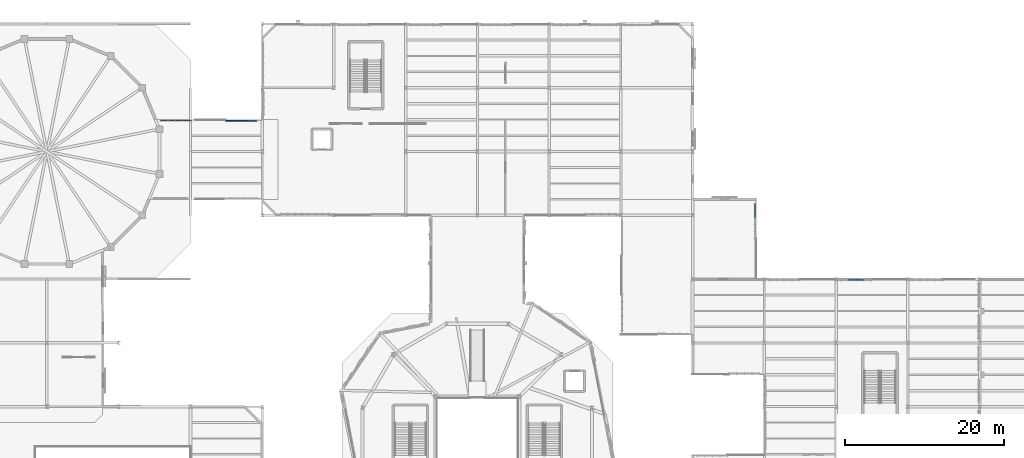
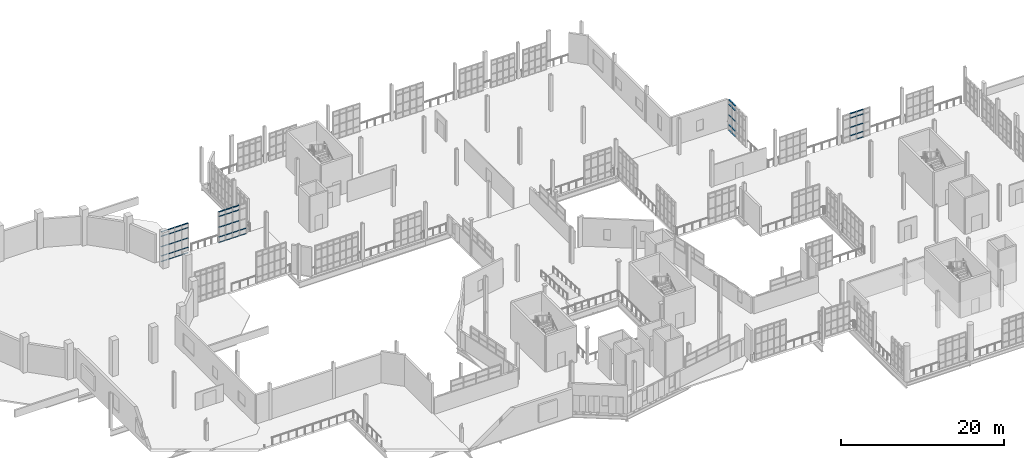
# One storey, part 94 of 142: 56 members, 4 elements without a shape of their own.
"""IFC4 building model written with IfcOpenShell, lengths in metres."""

import ifcopenshell
import ifcopenshell.guid

model = None  # the IFC model being written
_history = None  # IfcOwnerHistory: only IFC2X3 demands one
_inside = {}  # id of a spatial element -> (the spatial element, [elements in it])
_under = {}  # id of a project, library or spatial element -> (it, [spatial elements below it])
_declared = {}  # id of a project -> (the project, [libraries it declares])
_typed = {}  # id of a type object -> (the type object, [elements of that type])
_made_of = {}  # id of a material, layer set ... -> (it, [elements and type objects made of it])


def new_model(schema):
    """Start an empty IFC model of exactly this schema.

    Asked for "IFC4X3", IfcOpenShell would pick the latest addendum, in which some entities
    have other attributes; the version numbers below select the first issue.
    IFC2X3 requires an IfcOwnerHistory on every rooted entity: one is made here for all.
    """
    global model, _history
    if schema == "IFC4X3":
        model = ifcopenshell.file(schema_version=(4, 3, 0, 0))
    else:
        model = ifcopenshell.file(schema=schema)
    _inside.clear()
    _under.clear()
    _declared.clear()
    _typed.clear()
    _made_of.clear()
    _history = None
    if model.schema == "IFC2X3":
        org = make("IfcOrganization", Name="unknown")
        user = make(
            "IfcPersonAndOrganization",
            ThePerson=make("IfcPerson", FamilyName="unknown"),
            TheOrganization=org,
        )
        app = make(
            "IfcApplication",
            ApplicationDeveloper=org,
            Version="unknown",
            ApplicationFullName="unknown",
            ApplicationIdentifier="unknown",
        )
        _history = make(
            "IfcOwnerHistory",
            OwningUser=user,
            OwningApplication=app,
            ChangeAction="ADDED",
            CreationDate=0,
        )
    return model


def make(cls, **values):
    """One entity of the class cls with the attributes given. An attribute that is None is left unset."""
    return model.create_entity(
        cls, **{name: value for name, value in values.items() if value is not None}
    )


def rooted(cls, **values):
    """An entity with a GlobalId (a new one), such as an element, a storey or a relation."""
    return make(cls, GlobalId=ifcopenshell.guid.new(), OwnerHistory=_history, **values)


def si_unit(unit_type, name, prefix=None):
    """IfcSIUnit, for example si_unit("LENGTHUNIT", "METRE", prefix="MILLI")."""
    return make("IfcSIUnit", UnitType=unit_type, Prefix=prefix, Name=name)


def assignment(units):
    """IfcUnitAssignment: the units of a project."""
    return None if units is None else make("IfcUnitAssignment", Units=units)


def point(xyz):
    """IfcCartesianPoint."""
    return None if xyz is None else make("IfcCartesianPoint", Coordinates=xyz)


def direction(xyz):
    """IfcDirection."""
    return None if xyz is None else make("IfcDirection", DirectionRatios=xyz)


def frame(location, z_axis=None, x_axis=None):
    """IfcAxis2Placement3D, a coordinate frame: its origin and axes. An axis left out is left unset."""
    return make(
        "IfcAxis2Placement3D",
        Location=point(location),
        Axis=direction(z_axis),
        RefDirection=direction(x_axis),
    )


def frame_2d(location, x_axis=None):
    """IfcAxis2Placement2D, a coordinate frame in the plane: its origin and x axis."""
    return make(
        "IfcAxis2Placement2D", Location=point(location), RefDirection=direction(x_axis)
    )


def origin():
    """The frame at (0, 0, 0) with its axes left unset."""
    return frame((0.0, 0.0, 0.0))


def origin_2d():
    """The frame at (0, 0) in the plane with its x axis left unset."""
    return frame_2d((0.0, 0.0))


def place(relative_to, where):
    """IfcLocalPlacement: puts the frame where relative to a parent placement (None: the world)."""
    return make(
        "IfcLocalPlacement", PlacementRelTo=relative_to, RelativePlacement=where
    )


def context(
    kind, dimensions, precision=None, world=None, true_north=None, identifier=None
):
    """IfcGeometricRepresentationContext, for example the 3D "Model" context."""
    return make(
        "IfcGeometricRepresentationContext",
        ContextIdentifier=identifier,
        ContextType=kind,
        CoordinateSpaceDimension=dimensions,
        Precision=precision,
        WorldCoordinateSystem=world,
        TrueNorth=true_north,
    )


def subcontext(parent, identifier, kind, view, scale=None):
    """IfcGeometricRepresentationSubContext, for example "Body" below "Model"."""
    return make(
        "IfcGeometricRepresentationSubContext",
        ContextIdentifier=identifier,
        ContextType=kind,
        ParentContext=parent,
        TargetScale=scale,
        TargetView=view,
    )


def project(units=None, contexts=None):
    """IfcProject with its units and contexts."""
    return rooted(
        "IfcProject",
        Name="project",
        RepresentationContexts=contexts,
        UnitsInContext=assignment(units),
    )


def spatial(cls, under=None, at=None, **own):
    """A site, building, storey or space (cls), placed at a placement, below another one or the project."""
    s = rooted(cls, ObjectPlacement=at, **own)
    if under is not None:
        _under.setdefault(under.id(), (under, []))[1].append(s)
    return s


def profile(cls, at=None, kind="AREA", **sizes):
    """A parametric profile (cls). Its sizes go by their IFC names, for example OverallWidth=200.0."""
    return make(cls, ProfileType=kind, Position=at, **sizes)


def hollow_rectangle(**sizes):
    """IfcRectangleHollowProfileDef."""
    return profile("IfcRectangleHollowProfileDef", **sizes)


def extrude(swept, where, along, depth):
    """IfcExtrudedAreaSolid: the profile swept, set in the frame where, extruded along a direction by depth."""
    return make(
        "IfcExtrudedAreaSolid",
        SweptArea=swept,
        Position=where,
        ExtrudedDirection=direction(along),
        Depth=depth,
    )


def shape(context_of_items, identifier, shape_type, items):
    """IfcShapeRepresentation: the items that make up one representation, for example the "Body"."""
    return make(
        "IfcShapeRepresentation",
        ContextOfItems=context_of_items,
        RepresentationIdentifier=identifier,
        RepresentationType=shape_type,
        Items=items,
    )


def material(Name=None, Category=None):
    """IfcMaterial."""
    return make("IfcMaterial", Name=Name, Category=Category)


def layer(
    of_material, thickness, ventilated=None, Name=None, Category=None, Priority=None
):
    """IfcMaterialLayer: one layer of a wall or slab, of a material (None: an air gap)."""
    return make(
        "IfcMaterialLayer",
        Material=of_material,
        LayerThickness=thickness,
        IsVentilated=ventilated,
        Name=Name,
        Category=Category,
        Priority=Priority,
    )


def layer_set(layers, Name=None):
    """IfcMaterialLayerSet."""
    return make("IfcMaterialLayerSet", MaterialLayers=layers, LayerSetName=Name)


def material_profile(
    of_material, cross_section, Name=None, Category=None, Priority=None
):
    """IfcMaterialProfile: a cross section and its material."""
    return make(
        "IfcMaterialProfile",
        Name=Name,
        Material=of_material,
        Profile=cross_section,
        Priority=Priority,
        Category=Category,
    )


def profile_set(profiles, Name=None, composite=None):
    """IfcMaterialProfileSet."""
    return make(
        "IfcMaterialProfileSet",
        Name=Name,
        MaterialProfiles=profiles,
        CompositeProfile=composite,
    )


def made_of(thing, what):
    """Note that an element or type object is made of a material, layer set ...; save() writes the relation."""
    if what is not None:
        _made_of.setdefault(what.id(), (what, []))[1].append(thing)
    return thing


def type_object(cls, material=None, **own):
    """A type object (cls), such as IfcWallType, which elements share."""
    return made_of(rooted(cls, **own), material)


def element(
    cls,
    number,
    at=None,
    inside=None,
    cuts=None,
    type_object=None,
    material=None,
    context=None,
    identifier="Body",
    shape_type=None,
    held_by="IfcProductDefinitionShape",
    body=None,
    shapes=None,
    **own,
):
    """One element of the class cls, such as IfcWall. Its Tag is "e" and its number.

    at: its placement. inside: the storey or other place that contains it. cuts: it is an
    opening in that element (IfcRelVoidsElement). A single representation is given by context,
    identifier, shape_type and body (its items); several are given by shapes. held_by: the class
    of the entity that holds the representations. save() writes the other relations.
    """
    e = rooted(cls, Tag="e%d" % number, ObjectPlacement=at, **own)
    if body is not None:
        shapes = [shape(context, identifier, shape_type, body)]
    if shapes is not None:
        e.Representation = make(held_by, Representations=shapes)
    if inside is not None:
        _inside.setdefault(inside.id(), (inside, []))[1].append(e)
    if cuts is not None:
        rooted(
            "IfcRelVoidsElement", RelatingBuildingElement=cuts, RelatedOpeningElement=e
        )
    if type_object is not None:
        _typed.setdefault(type_object.id(), (type_object, []))[1].append(e)
    return made_of(e, material)


def aggregate(whole, parts):
    """IfcRelAggregates: a whole, such as a stair, and the parts it consists of."""
    return rooted("IfcRelAggregates", RelatingObject=whole, RelatedObjects=parts)


def save(model, path):
    """Write the relations noted so far, then the file.

    IfcRelAggregates (storeys below a building ...), IfcRelContainedInSpatialStructure (elements
    in a storey), IfcRelDefinesByType, IfcRelAssociatesMaterial and IfcRelDeclares: one each for
    every whole, place, type object, material and project.
    """
    for whole, parts in _under.values():
        aggregate(whole, parts)
    for where, things in _inside.values():
        rooted(
            "IfcRelContainedInSpatialStructure",
            RelatedElements=things,
            RelatingStructure=where,
        )
    for kind, things in _typed.values():
        rooted("IfcRelDefinesByType", RelatedObjects=things, RelatingType=kind)
    for what, things in _made_of.values():
        rooted("IfcRelAssociatesMaterial", RelatedObjects=things, RelatingMaterial=what)
    for by, libraries in _declared.values():
        rooted("IfcRelDeclares", RelatingContext=by, RelatedDefinitions=libraries)
    model.write(path)


model = new_model("IFC4")

# Units and contexts
model_context = context("Model", 3, precision=1e-05, world=origin(), true_north=direction((0.0, 1.0)))
body_context = subcontext(model_context, "Body", "Model", "MODEL_VIEW")
ifc_project = project(units=[si_unit("LENGTHUNIT", "METRE"), si_unit("AREAUNIT", "SQUARE_METRE"), si_unit("VOLUMEUNIT", "CUBIC_METRE"), si_unit("PLANEANGLEUNIT", "RADIAN"), si_unit("MASSUNIT", "GRAM", prefix="KILO"), si_unit("THERMODYNAMICTEMPERATUREUNIT", "KELVIN"), si_unit("POWERUNIT", "WATT")], contexts=[model_context])

# Site, building, storey
site_placement = place(None, origin())
site = spatial("IfcSite", under=ifc_project, at=site_placement, CompositionType="ELEMENT")
building_placement = place(site_placement, origin())
building = spatial("IfcBuilding", under=site, at=building_placement, Name="Zelmaris Science Centre", CompositionType="ELEMENT")
storey_placement = place(building_placement, frame((0.0, 0.0, 5.39990234375)))
storey = spatial("IfcBuildingStorey", under=building, at=storey_placement, Name="L01", CompositionType="ELEMENT", Elevation=5.39990234375)

# Curtain wall, members
ifc_material = material(Name="Anodised architectural aluminium 6063-T6", Category="aluminium")
ifc_layer_1 = layer(ifc_material, 0.219970703125, Name="Anodised architectural aluminium 6063-T6")
ifc_layer_set_1 = layer_set([ifc_layer_1], Name="Anodised architectural aluminium 6063-T6")
curtain_wall_type_1 = type_object("IfcCurtainWallType", Name="Curtain Wall CW-04", PredefinedType="USERDEFINED", material=ifc_layer_set_1)
curtain_wall_1_placement = place(storey_placement, origin())
curtain_wall_1 = element("IfcCurtainWall", 1, at=curtain_wall_1_placement, inside=storey, type_object=curtain_wall_type_1, Name="L01 Unitised curtain wall 128", ObjectType="GLAZED CURTAIN WALL", PredefinedType="USERDEFINED")
ifc_material_profile_1 = material_profile(ifc_material, hollow_rectangle(XDim=0.06005859375, YDim=0.110107421875, WallThickness=0.0029296875, at=origin_2d()), Name="ALU-TRN-60X110")
ifc_profile_set_1 = profile_set([ifc_material_profile_1], Name="Anodised architectural aluminium 6063-T6")
member_type_1 = type_object("IfcMemberType", Name="ALU-TRN-60X110", PredefinedType="USERDEFINED", material=ifc_profile_set_1)
member_1_placement = place(storey_placement, frame((49.462890625, 75.880859375, 0.010986328125), z_axis=(0.999999964727, -0.00026560424, 0.0), x_axis=(0.0, 0.0, 1.0)))
member_1 = element("IfcMember", 2, at=member_1_placement, type_object=member_type_1, Name="CW-04 transom 1.1", ObjectType="TRANSOM", PredefinedType="USERDEFINED", context=body_context, shape_type="SweptSolid", body=[
    extrude(hollow_rectangle(XDim=0.06005859375, YDim=0.110107421875, WallThickness=0.0029296875, at=origin_2d()), origin(), (0.0, 0.0, 1.0), 0.919189453125),
])
member_2_placement = place(storey_placement, frame((49.462890625, 75.880859375, 0.835205078125), z_axis=(0.999999964727, -0.00026560424, 0.0), x_axis=(0.0, 0.0, 1.0)))
member_2 = element("IfcMember", 3, at=member_2_placement, type_object=member_type_1, Name="CW-04 transom 1.2", ObjectType="TRANSOM", PredefinedType="USERDEFINED", context=body_context, shape_type="SweptSolid", body=[
    extrude(hollow_rectangle(XDim=0.06005859375, YDim=0.110107421875, WallThickness=0.0029296875, at=origin_2d()), origin(), (0.0, 0.0, 1.0), 0.919189453125),
])
member_3_placement = place(storey_placement, frame((49.462890625, 75.880859375, 2.302490234375), z_axis=(0.999999964727, -0.00026560424, 0.0), x_axis=(0.0, 0.0, 1.0)))
member_3 = element("IfcMember", 4, at=member_3_placement, type_object=member_type_1, Name="CW-04 transom 1.3", ObjectType="TRANSOM", PredefinedType="USERDEFINED", context=body_context, shape_type="SweptSolid", body=[
    extrude(hollow_rectangle(XDim=0.06005859375, YDim=0.110107421875, WallThickness=0.0029296875, at=origin_2d()), origin(), (0.0, 0.0, 1.0), 0.919189453125),
])
member_4_placement = place(storey_placement, frame((49.462890625, 75.880859375, 3.920166015625), z_axis=(0.999999964727, -0.00026560424, 0.0), x_axis=(0.0, 0.0, 1.0)))
member_4 = element("IfcMember", 5, at=member_4_placement, type_object=member_type_1, Name="CW-04 transom 1.4", ObjectType="TRANSOM", PredefinedType="USERDEFINED", context=body_context, shape_type="SweptSolid", body=[
    extrude(hollow_rectangle(XDim=0.06005859375, YDim=0.110107421875, WallThickness=0.0029296875, at=origin_2d()), origin(), (0.0, 0.0, 1.0), 0.919189453125),
])
member_5_placement = place(storey_placement, frame((49.462890625, 75.880859375, 4.593994140625), z_axis=(0.999999964727, -0.00026560424, 0.0), x_axis=(0.0, 0.0, 1.0)))
member_5 = element("IfcMember", 6, at=member_5_placement, type_object=member_type_1, Name="CW-04 transom 1.5", ObjectType="TRANSOM", PredefinedType="USERDEFINED", context=body_context, shape_type="SweptSolid", body=[
    extrude(hollow_rectangle(XDim=0.06005859375, YDim=0.110107421875, WallThickness=0.0029296875, at=origin_2d()), origin(), (0.0, 0.0, 1.0), 0.919189453125),
])
member_6_placement = place(storey_placement, frame((50.43408203125, 75.880615234375, 0.010986328125), z_axis=(1.0, 0.0, 0.0), x_axis=(0.0, 0.0, 1.0)))
member_6 = element("IfcMember", 7, at=member_6_placement, type_object=member_type_1, Name="CW-04 transom 2.1", ObjectType="TRANSOM", PredefinedType="USERDEFINED", context=body_context, shape_type="SweptSolid", body=[
    extrude(hollow_rectangle(XDim=0.06005859375, YDim=0.110107421875, WallThickness=0.0029296875, at=origin_2d()), origin(), (0.0, 0.0, 1.0), 0.9453125),
])
member_7_placement = place(storey_placement, frame((50.43408203125, 75.880615234375, 0.835205078125), z_axis=(1.0, 0.0, 0.0), x_axis=(0.0, 0.0, 1.0)))
member_7 = element("IfcMember", 8, at=member_7_placement, type_object=member_type_1, Name="CW-04 transom 2.2", ObjectType="TRANSOM", PredefinedType="USERDEFINED", context=body_context, shape_type="SweptSolid", body=[
    extrude(hollow_rectangle(XDim=0.06005859375, YDim=0.110107421875, WallThickness=0.0029296875, at=origin_2d()), origin(), (0.0, 0.0, 1.0), 0.9453125),
])
member_8_placement = place(storey_placement, frame((50.43408203125, 75.880615234375, 2.302490234375), z_axis=(1.0, 0.0, 0.0), x_axis=(0.0, 0.0, 1.0)))
member_8 = element("IfcMember", 9, at=member_8_placement, type_object=member_type_1, Name="CW-04 transom 2.3", ObjectType="TRANSOM", PredefinedType="USERDEFINED", context=body_context, shape_type="SweptSolid", body=[
    extrude(hollow_rectangle(XDim=0.06005859375, YDim=0.110107421875, WallThickness=0.0029296875, at=origin_2d()), origin(), (0.0, 0.0, 1.0), 0.9453125),
])
member_9_placement = place(storey_placement, frame((50.43408203125, 75.880615234375, 3.920166015625), z_axis=(1.0, 0.0, 0.0), x_axis=(0.0, 0.0, 1.0)))
member_9 = element("IfcMember", 10, at=member_9_placement, type_object=member_type_1, Name="CW-04 transom 2.4", ObjectType="TRANSOM", PredefinedType="USERDEFINED", context=body_context, shape_type="SweptSolid", body=[
    extrude(hollow_rectangle(XDim=0.06005859375, YDim=0.110107421875, WallThickness=0.0029296875, at=origin_2d()), origin(), (0.0, 0.0, 1.0), 0.9453125),
])
member_10_placement = place(storey_placement, frame((50.43408203125, 75.880615234375, 4.593994140625), z_axis=(1.0, 0.0, 0.0), x_axis=(0.0, 0.0, 1.0)))
member_10 = element("IfcMember", 11, at=member_10_placement, type_object=member_type_1, Name="CW-04 transom 2.5", ObjectType="TRANSOM", PredefinedType="USERDEFINED", context=body_context, shape_type="SweptSolid", body=[
    extrude(hollow_rectangle(XDim=0.06005859375, YDim=0.110107421875, WallThickness=0.0029296875, at=origin_2d()), origin(), (0.0, 0.0, 1.0), 0.9453125),
])
member_11_placement = place(storey_placement, frame((51.431396484375, 75.880615234375, 0.010986328125), z_axis=(0.99999996665, -0.000258264454, 0.0), x_axis=(0.0, 0.0, 1.0)))
member_11 = element("IfcMember", 12, at=member_11_placement, type_object=member_type_1, Name="CW-04 transom 3.1", ObjectType="TRANSOM", PredefinedType="USERDEFINED", context=body_context, shape_type="SweptSolid", body=[
    extrude(hollow_rectangle(XDim=0.06005859375, YDim=0.110107421875, WallThickness=0.0029296875, at=origin_2d()), origin(), (0.0, 0.0, 1.0), 0.9453125),
])
member_12_placement = place(storey_placement, frame((51.431396484375, 75.880615234375, 0.835205078125), z_axis=(0.99999996665, -0.000258264454, 0.0), x_axis=(0.0, 0.0, 1.0)))
member_12 = element("IfcMember", 13, at=member_12_placement, type_object=member_type_1, Name="CW-04 transom 3.2", ObjectType="TRANSOM", PredefinedType="USERDEFINED", context=body_context, shape_type="SweptSolid", body=[
    extrude(hollow_rectangle(XDim=0.06005859375, YDim=0.110107421875, WallThickness=0.0029296875, at=origin_2d()), origin(), (0.0, 0.0, 1.0), 0.9453125),
])
member_13_placement = place(storey_placement, frame((51.431396484375, 75.880615234375, 2.302490234375), z_axis=(0.99999996665, -0.000258264454, 0.0), x_axis=(0.0, 0.0, 1.0)))
member_13 = element("IfcMember", 14, at=member_13_placement, type_object=member_type_1, Name="CW-04 transom 3.3", ObjectType="TRANSOM", PredefinedType="USERDEFINED", context=body_context, shape_type="SweptSolid", body=[
    extrude(hollow_rectangle(XDim=0.06005859375, YDim=0.110107421875, WallThickness=0.0029296875, at=origin_2d()), origin(), (0.0, 0.0, 1.0), 0.9453125),
])
member_14_placement = place(storey_placement, frame((51.431396484375, 75.880615234375, 3.920166015625), z_axis=(0.99999996665, -0.000258264454, 0.0), x_axis=(0.0, 0.0, 1.0)))
member_14 = element("IfcMember", 15, at=member_14_placement, type_object=member_type_1, Name="CW-04 transom 3.4", ObjectType="TRANSOM", PredefinedType="USERDEFINED", context=body_context, shape_type="SweptSolid", body=[
    extrude(hollow_rectangle(XDim=0.06005859375, YDim=0.110107421875, WallThickness=0.0029296875, at=origin_2d()), origin(), (0.0, 0.0, 1.0), 0.9453125),
])
member_15_placement = place(storey_placement, frame((51.431396484375, 75.880615234375, 4.593994140625), z_axis=(0.99999996665, -0.000258264454, 0.0), x_axis=(0.0, 0.0, 1.0)))
member_15 = element("IfcMember", 16, at=member_15_placement, type_object=member_type_1, Name="CW-04 transom 3.5", ObjectType="TRANSOM", PredefinedType="USERDEFINED", context=body_context, shape_type="SweptSolid", body=[
    extrude(hollow_rectangle(XDim=0.06005859375, YDim=0.110107421875, WallThickness=0.0029296875, at=origin_2d()), origin(), (0.0, 0.0, 1.0), 0.9453125),
])
member_16_placement = place(storey_placement, frame((52.4287109375, 75.88037109375, 0.010986328125), z_axis=(0.999999964727, -0.00026560424, 0.0), x_axis=(0.0, 0.0, 1.0)))
member_16 = element("IfcMember", 17, at=member_16_placement, type_object=member_type_1, Name="CW-04 transom 4.1", ObjectType="TRANSOM", PredefinedType="USERDEFINED", context=body_context, shape_type="SweptSolid", body=[
    extrude(hollow_rectangle(XDim=0.06005859375, YDim=0.110107421875, WallThickness=0.0029296875, at=origin_2d()), origin(), (0.0, 0.0, 1.0), 0.919189453125),
])
member_17_placement = place(storey_placement, frame((52.4287109375, 75.88037109375, 0.835205078125), z_axis=(0.999999964727, -0.00026560424, 0.0), x_axis=(0.0, 0.0, 1.0)))
member_17 = element("IfcMember", 18, at=member_17_placement, type_object=member_type_1, Name="CW-04 transom 4.2", ObjectType="TRANSOM", PredefinedType="USERDEFINED", context=body_context, shape_type="SweptSolid", body=[
    extrude(hollow_rectangle(XDim=0.06005859375, YDim=0.110107421875, WallThickness=0.0029296875, at=origin_2d()), origin(), (0.0, 0.0, 1.0), 0.919189453125),
])
aggregate(curtain_wall_1, [member_1, member_2, member_3, member_4, member_5, member_6, member_7, member_8, member_9, member_10, member_11, member_12, member_13, member_14, member_15, member_16, member_17])

ifc_layer_2 = layer(ifc_material, 0.199951171875, Name="Anodised architectural aluminium 6063-T6")
ifc_layer_set_2 = layer_set([ifc_layer_2], Name="Anodised architectural aluminium 6063-T6")
curtain_wall_type_2 = type_object("IfcCurtainWallType", Name="Curtain Wall CW-02", PredefinedType="USERDEFINED", material=ifc_layer_set_2)
curtain_wall_2_placement = place(storey_placement, origin())
curtain_wall_2 = element("IfcCurtainWall", 19, at=curtain_wall_2_placement, inside=storey, type_object=curtain_wall_type_2, Name="L01 Unitised curtain wall 126", ObjectType="GLAZED CURTAIN WALL", PredefinedType="USERDEFINED")
ifc_material_profile_2 = material_profile(ifc_material, hollow_rectangle(XDim=0.074951171875, YDim=0.159912109375, WallThickness=0.00390625, at=origin_2d()), Name="ALU-TRN-75X160")
ifc_profile_set_2 = profile_set([ifc_material_profile_2], Name="Anodised architectural aluminium 6063-T6")
member_type_2 = type_object("IfcMemberType", Name="ALU-TRN-75X160", PredefinedType="USERDEFINED", material=ifc_profile_set_2)
member_18_placement = place(storey_placement, frame((41.259765625, 75.882568359375, 0.0185546875), z_axis=(0.999999962938, -0.000272257001, 0.0), x_axis=(0.0, 0.0, 1.0)))
member_18 = element("IfcMember", 20, at=member_18_placement, type_object=member_type_2, Name="CW-02 transom 1.1", ObjectType="TRANSOM", PredefinedType="USERDEFINED", context=body_context, shape_type="SweptSolid", body=[
    extrude(hollow_rectangle(XDim=0.074951171875, YDim=0.159912109375, WallThickness=0.00390625, at=origin_2d()), origin(), (0.0, 0.0, 1.0), 0.896728515625),
])
member_19_placement = place(storey_placement, frame((41.259765625, 75.882568359375, 0.835205078125), z_axis=(0.999999962938, -0.000272257001, 0.0), x_axis=(0.0, 0.0, 1.0)))
member_19 = element("IfcMember", 21, at=member_19_placement, type_object=member_type_2, Name="CW-02 transom 1.2", ObjectType="TRANSOM", PredefinedType="USERDEFINED", context=body_context, shape_type="SweptSolid", body=[
    extrude(hollow_rectangle(XDim=0.074951171875, YDim=0.159912109375, WallThickness=0.00390625, at=origin_2d()), origin(), (0.0, 0.0, 1.0), 0.896728515625),
])
member_20_placement = place(storey_placement, frame((41.259765625, 75.882568359375, 2.239013671875), z_axis=(0.999999962938, -0.000272257001, 0.0), x_axis=(0.0, 0.0, 1.0)))
member_20 = element("IfcMember", 22, at=member_20_placement, type_object=member_type_2, Name="CW-02 transom 1.3", ObjectType="TRANSOM", PredefinedType="USERDEFINED", context=body_context, shape_type="SweptSolid", body=[
    extrude(hollow_rectangle(XDim=0.074951171875, YDim=0.159912109375, WallThickness=0.00390625, at=origin_2d()), origin(), (0.0, 0.0, 1.0), 0.896728515625),
])
member_21_placement = place(storey_placement, frame((41.259765625, 75.882568359375, 3.793212890625), z_axis=(0.999999962938, -0.000272257001, 0.0), x_axis=(0.0, 0.0, 1.0)))
member_21 = element("IfcMember", 23, at=member_21_placement, type_object=member_type_2, Name="CW-02 transom 1.4", ObjectType="TRANSOM", PredefinedType="USERDEFINED", context=body_context, shape_type="SweptSolid", body=[
    extrude(hollow_rectangle(XDim=0.074951171875, YDim=0.159912109375, WallThickness=0.00390625, at=origin_2d()), origin(), (0.0, 0.0, 1.0), 0.896728515625),
])
member_22_placement = place(storey_placement, frame((41.259765625, 75.882568359375, 4.459716796875), z_axis=(0.999999962938, -0.000272257001, 0.0), x_axis=(0.0, 0.0, 1.0)))
member_22 = element("IfcMember", 24, at=member_22_placement, type_object=member_type_2, Name="CW-02 transom 1.5", ObjectType="TRANSOM", PredefinedType="USERDEFINED", context=body_context, shape_type="SweptSolid", body=[
    extrude(hollow_rectangle(XDim=0.074951171875, YDim=0.159912109375, WallThickness=0.00390625, at=origin_2d()), origin(), (0.0, 0.0, 1.0), 0.896728515625),
])
member_23_placement = place(storey_placement, frame((42.2236328125, 75.88232421875, 0.0185546875), z_axis=(0.999999965555, -0.000262467183, 0.0), x_axis=(0.0, 0.0, 1.0)))
member_23 = element("IfcMember", 25, at=member_23_placement, type_object=member_type_2, Name="CW-02 transom 2.1", ObjectType="TRANSOM", PredefinedType="USERDEFINED", context=body_context, shape_type="SweptSolid", body=[
    extrude(hollow_rectangle(XDim=0.074951171875, YDim=0.159912109375, WallThickness=0.00390625, at=origin_2d()), origin(), (0.0, 0.0, 1.0), 0.93017578125),
])
member_24_placement = place(storey_placement, frame((42.2236328125, 75.88232421875, 0.835205078125), z_axis=(0.999999965555, -0.000262467183, 0.0), x_axis=(0.0, 0.0, 1.0)))
member_24 = element("IfcMember", 26, at=member_24_placement, type_object=member_type_2, Name="CW-02 transom 2.2", ObjectType="TRANSOM", PredefinedType="USERDEFINED", context=body_context, shape_type="SweptSolid", body=[
    extrude(hollow_rectangle(XDim=0.074951171875, YDim=0.159912109375, WallThickness=0.00390625, at=origin_2d()), origin(), (0.0, 0.0, 1.0), 0.93017578125),
])
member_25_placement = place(storey_placement, frame((42.2236328125, 75.88232421875, 2.239013671875), z_axis=(0.999999965555, -0.000262467183, 0.0), x_axis=(0.0, 0.0, 1.0)))
member_25 = element("IfcMember", 27, at=member_25_placement, type_object=member_type_2, Name="CW-02 transom 2.3", ObjectType="TRANSOM", PredefinedType="USERDEFINED", context=body_context, shape_type="SweptSolid", body=[
    extrude(hollow_rectangle(XDim=0.074951171875, YDim=0.159912109375, WallThickness=0.00390625, at=origin_2d()), origin(), (0.0, 0.0, 1.0), 0.93017578125),
])
member_26_placement = place(storey_placement, frame((42.2236328125, 75.88232421875, 3.793212890625), z_axis=(0.999999965555, -0.000262467183, 0.0), x_axis=(0.0, 0.0, 1.0)))
member_26 = element("IfcMember", 28, at=member_26_placement, type_object=member_type_2, Name="CW-02 transom 2.4", ObjectType="TRANSOM", PredefinedType="USERDEFINED", context=body_context, shape_type="SweptSolid", body=[
    extrude(hollow_rectangle(XDim=0.074951171875, YDim=0.159912109375, WallThickness=0.00390625, at=origin_2d()), origin(), (0.0, 0.0, 1.0), 0.93017578125),
])
member_27_placement = place(storey_placement, frame((42.2236328125, 75.88232421875, 4.459716796875), z_axis=(0.999999965555, -0.000262467183, 0.0), x_axis=(0.0, 0.0, 1.0)))
member_27 = element("IfcMember", 29, at=member_27_placement, type_object=member_type_2, Name="CW-02 transom 2.5", ObjectType="TRANSOM", PredefinedType="USERDEFINED", context=body_context, shape_type="SweptSolid", body=[
    extrude(hollow_rectangle(XDim=0.074951171875, YDim=0.159912109375, WallThickness=0.00390625, at=origin_2d()), origin(), (0.0, 0.0, 1.0), 0.93017578125),
])
member_28_placement = place(storey_placement, frame((43.220703125, 75.882080078125, 0.0185546875), z_axis=(0.999999965574, -0.000262398312, 0.0), x_axis=(0.0, 0.0, 1.0)))
member_28 = element("IfcMember", 30, at=member_28_placement, type_object=member_type_2, Name="CW-02 transom 3.1", ObjectType="TRANSOM", PredefinedType="USERDEFINED", context=body_context, shape_type="SweptSolid", body=[
    extrude(hollow_rectangle(XDim=0.074951171875, YDim=0.159912109375, WallThickness=0.00390625, at=origin_2d()), origin(), (0.0, 0.0, 1.0), 0.930419921875),
])
member_29_placement = place(storey_placement, frame((43.220703125, 75.882080078125, 0.835205078125), z_axis=(0.999999965574, -0.000262398312, 0.0), x_axis=(0.0, 0.0, 1.0)))
member_29 = element("IfcMember", 31, at=member_29_placement, type_object=member_type_2, Name="CW-02 transom 3.2", ObjectType="TRANSOM", PredefinedType="USERDEFINED", context=body_context, shape_type="SweptSolid", body=[
    extrude(hollow_rectangle(XDim=0.074951171875, YDim=0.159912109375, WallThickness=0.00390625, at=origin_2d()), origin(), (0.0, 0.0, 1.0), 0.930419921875),
])
member_30_placement = place(storey_placement, frame((43.220703125, 75.882080078125, 2.239013671875), z_axis=(0.999999965574, -0.000262398312, 0.0), x_axis=(0.0, 0.0, 1.0)))
member_30 = element("IfcMember", 32, at=member_30_placement, type_object=member_type_2, Name="CW-02 transom 3.3", ObjectType="TRANSOM", PredefinedType="USERDEFINED", context=body_context, shape_type="SweptSolid", body=[
    extrude(hollow_rectangle(XDim=0.074951171875, YDim=0.159912109375, WallThickness=0.00390625, at=origin_2d()), origin(), (0.0, 0.0, 1.0), 0.930419921875),
])
member_31_placement = place(storey_placement, frame((43.220703125, 75.882080078125, 3.793212890625), z_axis=(0.999999965574, -0.000262398312, 0.0), x_axis=(0.0, 0.0, 1.0)))
member_31 = element("IfcMember", 33, at=member_31_placement, type_object=member_type_2, Name="CW-02 transom 3.4", ObjectType="TRANSOM", PredefinedType="USERDEFINED", context=body_context, shape_type="SweptSolid", body=[
    extrude(hollow_rectangle(XDim=0.074951171875, YDim=0.159912109375, WallThickness=0.00390625, at=origin_2d()), origin(), (0.0, 0.0, 1.0), 0.930419921875),
])
member_32_placement = place(storey_placement, frame((43.220703125, 75.882080078125, 4.459716796875), z_axis=(0.999999965574, -0.000262398312, 0.0), x_axis=(0.0, 0.0, 1.0)))
member_32 = element("IfcMember", 34, at=member_32_placement, type_object=member_type_2, Name="CW-02 transom 3.5", ObjectType="TRANSOM", PredefinedType="USERDEFINED", context=body_context, shape_type="SweptSolid", body=[
    extrude(hollow_rectangle(XDim=0.074951171875, YDim=0.159912109375, WallThickness=0.00390625, at=origin_2d()), origin(), (0.0, 0.0, 1.0), 0.930419921875),
])
member_33_placement = place(storey_placement, frame((44.218017578125, 75.8818359375, 0.0185546875), z_axis=(0.999999962938, -0.000272257001, 0.0), x_axis=(0.0, 0.0, 1.0)))
member_33 = element("IfcMember", 35, at=member_33_placement, type_object=member_type_2, Name="CW-02 transom 4.1", ObjectType="TRANSOM", PredefinedType="USERDEFINED", context=body_context, shape_type="SweptSolid", body=[
    extrude(hollow_rectangle(XDim=0.074951171875, YDim=0.159912109375, WallThickness=0.00390625, at=origin_2d()), origin(), (0.0, 0.0, 1.0), 0.896728515625),
])
member_34_placement = place(storey_placement, frame((44.218017578125, 75.8818359375, 0.835205078125), z_axis=(0.999999962938, -0.000272257001, 0.0), x_axis=(0.0, 0.0, 1.0)))
member_34 = element("IfcMember", 36, at=member_34_placement, type_object=member_type_2, Name="CW-02 transom 4.2", ObjectType="TRANSOM", PredefinedType="USERDEFINED", context=body_context, shape_type="SweptSolid", body=[
    extrude(hollow_rectangle(XDim=0.074951171875, YDim=0.159912109375, WallThickness=0.00390625, at=origin_2d()), origin(), (0.0, 0.0, 1.0), 0.896728515625),
])
member_35_placement = place(storey_placement, frame((44.218017578125, 75.8818359375, 2.239013671875), z_axis=(0.999999962938, -0.000272257001, 0.0), x_axis=(0.0, 0.0, 1.0)))
member_35 = element("IfcMember", 37, at=member_35_placement, type_object=member_type_2, Name="CW-02 transom 4.3", ObjectType="TRANSOM", PredefinedType="USERDEFINED", context=body_context, shape_type="SweptSolid", body=[
    extrude(hollow_rectangle(XDim=0.074951171875, YDim=0.159912109375, WallThickness=0.00390625, at=origin_2d()), origin(), (0.0, 0.0, 1.0), 0.896728515625),
])
member_36_placement = place(storey_placement, frame((44.218017578125, 75.8818359375, 3.793212890625), z_axis=(0.999999962938, -0.000272257001, 0.0), x_axis=(0.0, 0.0, 1.0)))
member_36 = element("IfcMember", 38, at=member_36_placement, type_object=member_type_2, Name="CW-02 transom 4.4", ObjectType="TRANSOM", PredefinedType="USERDEFINED", context=body_context, shape_type="SweptSolid", body=[
    extrude(hollow_rectangle(XDim=0.074951171875, YDim=0.159912109375, WallThickness=0.00390625, at=origin_2d()), origin(), (0.0, 0.0, 1.0), 0.896728515625),
])
member_37_placement = place(storey_placement, frame((44.218017578125, 75.8818359375, 4.459716796875), z_axis=(0.999999962938, -0.000272257001, 0.0), x_axis=(0.0, 0.0, 1.0)))
member_37 = element("IfcMember", 39, at=member_37_placement, type_object=member_type_2, Name="CW-02 transom 4.5", ObjectType="TRANSOM", PredefinedType="USERDEFINED", context=body_context, shape_type="SweptSolid", body=[
    extrude(hollow_rectangle(XDim=0.074951171875, YDim=0.159912109375, WallThickness=0.00390625, at=origin_2d()), origin(), (0.0, 0.0, 1.0), 0.896728515625),
])
aggregate(curtain_wall_2, [member_18, member_19, member_20, member_21, member_22, member_23, member_24, member_25, member_26, member_27, member_28, member_29, member_30, member_31, member_32, member_33, member_34, member_35, member_36, member_37])

ifc_layer_3 = layer(ifc_material, 0.18994140625, Name="Anodised architectural aluminium 6063-T6")
ifc_layer_set_3 = layer_set([ifc_layer_3], Name="Anodised architectural aluminium 6063-T6")
curtain_wall_type_3 = type_object("IfcCurtainWallType", Name="Curtain Wall CW-01", PredefinedType="USERDEFINED", material=ifc_layer_set_3)
curtain_wall_3_placement = place(storey_placement, origin())
curtain_wall_3 = element("IfcCurtainWall", 40, at=curtain_wall_3_placement, inside=storey, type_object=curtain_wall_type_3, Name="L01 Unitised curtain wall 141", ObjectType="GLAZED CURTAIN WALL", PredefinedType="USERDEFINED")
ifc_material_profile_3 = material_profile(ifc_material, hollow_rectangle(XDim=0.080078125, YDim=0.18994140625, WallThickness=0.00439453125, at=origin_2d()), Name="ALU-TRN-80X190")
ifc_profile_set_3 = profile_set([ifc_material_profile_3], Name="Anodised architectural aluminium 6063-T6")
member_type_3 = type_object("IfcMemberType", Name="ALU-TRN-80X190", PredefinedType="USERDEFINED", material=ifc_profile_set_3)
member_38_placement = place(storey_placement, frame((115.8798828125, 65.387939453125, 0.02099609375), z_axis=(0.0, -1.0, 0.0), x_axis=(0.0, 0.0, 1.0)))
member_38 = element("IfcMember", 41, at=member_38_placement, type_object=member_type_3, Name="CW-01 transom 1.1", ObjectType="TRANSOM", PredefinedType="USERDEFINED", context=body_context, shape_type="SweptSolid", body=[
    extrude(hollow_rectangle(XDim=0.080078125, YDim=0.18994140625, WallThickness=0.00439453125, at=origin_2d()), origin(), (0.0, 0.0, 1.0), 0.76611328125),
])
member_39_placement = place(storey_placement, frame((115.8798828125, 65.387939453125, 0.835205078125), z_axis=(0.0, -1.0, 0.0), x_axis=(0.0, 0.0, 1.0)))
member_39 = element("IfcMember", 42, at=member_39_placement, type_object=member_type_3, Name="CW-01 transom 1.2", ObjectType="TRANSOM", PredefinedType="USERDEFINED", context=body_context, shape_type="SweptSolid", body=[
    extrude(hollow_rectangle(XDim=0.080078125, YDim=0.18994140625, WallThickness=0.00439453125, at=origin_2d()), origin(), (0.0, 0.0, 1.0), 0.76611328125),
])
member_40_placement = place(storey_placement, frame((115.8798828125, 65.387939453125, 2.302490234375), z_axis=(0.0, -1.0, 0.0), x_axis=(0.0, 0.0, 1.0)))
member_40 = element("IfcMember", 43, at=member_40_placement, type_object=member_type_3, Name="CW-01 transom 1.3", ObjectType="TRANSOM", PredefinedType="USERDEFINED", context=body_context, shape_type="SweptSolid", body=[
    extrude(hollow_rectangle(XDim=0.080078125, YDim=0.18994140625, WallThickness=0.00439453125, at=origin_2d()), origin(), (0.0, 0.0, 1.0), 0.76611328125),
])
member_41_placement = place(storey_placement, frame((115.8798828125, 65.387939453125, 3.920166015625), z_axis=(0.0, -1.0, 0.0), x_axis=(0.0, 0.0, 1.0)))
member_41 = element("IfcMember", 44, at=member_41_placement, type_object=member_type_3, Name="CW-01 transom 1.4", ObjectType="TRANSOM", PredefinedType="USERDEFINED", context=body_context, shape_type="SweptSolid", body=[
    extrude(hollow_rectangle(XDim=0.080078125, YDim=0.18994140625, WallThickness=0.00439453125, at=origin_2d()), origin(), (0.0, 0.0, 1.0), 0.76611328125),
])
member_42_placement = place(storey_placement, frame((115.8798828125, 65.387939453125, 4.583984375), z_axis=(0.0, -1.0, 0.0), x_axis=(0.0, 0.0, 1.0)))
member_42 = element("IfcMember", 45, at=member_42_placement, type_object=member_type_3, Name="CW-01 transom 1.5", ObjectType="TRANSOM", PredefinedType="USERDEFINED", context=body_context, shape_type="SweptSolid", body=[
    extrude(hollow_rectangle(XDim=0.080078125, YDim=0.18994140625, WallThickness=0.00439453125, at=origin_2d()), origin(), (0.0, 0.0, 1.0), 0.76611328125),
])
member_43_placement = place(storey_placement, frame((115.8798828125, 64.5498046875, 0.02099609375), z_axis=(0.0, -1.0, 0.0), x_axis=(0.0, 0.0, 1.0)))
member_43 = element("IfcMember", 46, at=member_43_placement, type_object=member_type_3, Name="CW-01 transom 2.1", ObjectType="TRANSOM", PredefinedType="USERDEFINED", context=body_context, shape_type="SweptSolid", body=[
    extrude(hollow_rectangle(XDim=0.080078125, YDim=0.18994140625, WallThickness=0.00439453125, at=origin_2d()), origin(), (0.0, 0.0, 1.0), 0.8017578125),
])
member_44_placement = place(storey_placement, frame((115.8798828125, 64.5498046875, 0.835205078125), z_axis=(0.0, -1.0, 0.0), x_axis=(0.0, 0.0, 1.0)))
member_44 = element("IfcMember", 47, at=member_44_placement, type_object=member_type_3, Name="CW-01 transom 2.2", ObjectType="TRANSOM", PredefinedType="USERDEFINED", context=body_context, shape_type="SweptSolid", body=[
    extrude(hollow_rectangle(XDim=0.080078125, YDim=0.18994140625, WallThickness=0.00439453125, at=origin_2d()), origin(), (0.0, 0.0, 1.0), 0.8017578125),
])
member_45_placement = place(storey_placement, frame((115.8798828125, 64.5498046875, 2.302490234375), z_axis=(0.0, -1.0, 0.0), x_axis=(0.0, 0.0, 1.0)))
member_45 = element("IfcMember", 48, at=member_45_placement, type_object=member_type_3, Name="CW-01 transom 2.3", ObjectType="TRANSOM", PredefinedType="USERDEFINED", context=body_context, shape_type="SweptSolid", body=[
    extrude(hollow_rectangle(XDim=0.080078125, YDim=0.18994140625, WallThickness=0.00439453125, at=origin_2d()), origin(), (0.0, 0.0, 1.0), 0.8017578125),
])
member_46_placement = place(storey_placement, frame((115.8798828125, 64.5498046875, 3.920166015625), z_axis=(0.0, -1.0, 0.0), x_axis=(0.0, 0.0, 1.0)))
member_46 = element("IfcMember", 49, at=member_46_placement, type_object=member_type_3, Name="CW-01 transom 2.4", ObjectType="TRANSOM", PredefinedType="USERDEFINED", context=body_context, shape_type="SweptSolid", body=[
    extrude(hollow_rectangle(XDim=0.080078125, YDim=0.18994140625, WallThickness=0.00439453125, at=origin_2d()), origin(), (0.0, 0.0, 1.0), 0.8017578125),
])
member_47_placement = place(storey_placement, frame((115.8798828125, 64.5498046875, 4.583984375), z_axis=(0.0, -1.0, 0.0), x_axis=(0.0, 0.0, 1.0)))
member_47 = element("IfcMember", 50, at=member_47_placement, type_object=member_type_3, Name="CW-01 transom 2.5", ObjectType="TRANSOM", PredefinedType="USERDEFINED", context=body_context, shape_type="SweptSolid", body=[
    extrude(hollow_rectangle(XDim=0.080078125, YDim=0.18994140625, WallThickness=0.00439453125, at=origin_2d()), origin(), (0.0, 0.0, 1.0), 0.8017578125),
])
aggregate(curtain_wall_3, [member_38, member_39, member_40, member_41, member_42, member_43, member_44, member_45, member_46, member_47])

curtain_wall_4_placement = place(storey_placement, origin())
curtain_wall_4 = element("IfcCurtainWall", 51, at=curtain_wall_4_placement, inside=storey, type_object=curtain_wall_type_3, Name="L01 Unitised curtain wall 145", ObjectType="GLAZED CURTAIN WALL", PredefinedType="USERDEFINED")
member_48_placement = place(storey_placement, frame((127.55078125, 55.887939453125, 0.835205078125), z_axis=(0.999999853829, -0.000540686593, 0.0), x_axis=(0.0, 0.0, 1.0)))
member_48 = element("IfcMember", 52, at=member_48_placement, type_object=member_type_3, Name="CW-01 transom 2.2", ObjectType="TRANSOM", PredefinedType="USERDEFINED", context=body_context, shape_type="SweptSolid", body=[
    extrude(hollow_rectangle(XDim=0.080078125, YDim=0.18994140625, WallThickness=0.00439453125, at=origin_2d()), origin(), (0.0, 0.0, 1.0), 0.903076171875),
])
member_49_placement = place(storey_placement, frame((127.55078125, 55.887939453125, 2.0791015625), z_axis=(0.999999853829, -0.000540686593, 0.0), x_axis=(0.0, 0.0, 1.0)))
member_49 = element("IfcMember", 53, at=member_49_placement, type_object=member_type_3, Name="CW-01 transom 2.3", ObjectType="TRANSOM", PredefinedType="USERDEFINED", context=body_context, shape_type="SweptSolid", body=[
    extrude(hollow_rectangle(XDim=0.080078125, YDim=0.18994140625, WallThickness=0.00439453125, at=origin_2d()), origin(), (0.0, 0.0, 1.0), 0.903076171875),
])
member_50_placement = place(storey_placement, frame((127.55078125, 55.887939453125, 3.47314453125), z_axis=(0.999999853829, -0.000540686593, 0.0), x_axis=(0.0, 0.0, 1.0)))
member_50 = element("IfcMember", 54, at=member_50_placement, type_object=member_type_3, Name="CW-01 transom 2.4", ObjectType="TRANSOM", PredefinedType="USERDEFINED", context=body_context, shape_type="SweptSolid", body=[
    extrude(hollow_rectangle(XDim=0.080078125, YDim=0.18994140625, WallThickness=0.00439453125, at=origin_2d()), origin(), (0.0, 0.0, 1.0), 0.903076171875),
])
member_51_placement = place(storey_placement, frame((127.55078125, 55.887939453125, 4.13720703125), z_axis=(0.999999853829, -0.000540686593, 0.0), x_axis=(0.0, 0.0, 1.0)))
member_51 = element("IfcMember", 55, at=member_51_placement, type_object=member_type_3, Name="CW-01 transom 2.5", ObjectType="TRANSOM", PredefinedType="USERDEFINED", context=body_context, shape_type="SweptSolid", body=[
    extrude(hollow_rectangle(XDim=0.080078125, YDim=0.18994140625, WallThickness=0.00439453125, at=origin_2d()), origin(), (0.0, 0.0, 1.0), 0.903076171875),
])
member_52_placement = place(storey_placement, frame((128.52587890625, 55.887451171875, 0.02099609375), z_axis=(0.999999963457, -0.000270343326, 0.0), x_axis=(0.0, 0.0, 1.0)))
member_52 = element("IfcMember", 56, at=member_52_placement, type_object=member_type_3, Name="CW-01 transom 3.1", ObjectType="TRANSOM", PredefinedType="USERDEFINED", context=body_context, shape_type="SweptSolid", body=[
    extrude(hollow_rectangle(XDim=0.080078125, YDim=0.18994140625, WallThickness=0.00439453125, at=origin_2d()), origin(), (0.0, 0.0, 1.0), 0.903076171875),
])
member_53_placement = place(storey_placement, frame((128.52587890625, 55.887451171875, 0.835205078125), z_axis=(0.999999963457, -0.000270343326, 0.0), x_axis=(0.0, 0.0, 1.0)))
member_53 = element("IfcMember", 57, at=member_53_placement, type_object=member_type_3, Name="CW-01 transom 3.2", ObjectType="TRANSOM", PredefinedType="USERDEFINED", context=body_context, shape_type="SweptSolid", body=[
    extrude(hollow_rectangle(XDim=0.080078125, YDim=0.18994140625, WallThickness=0.00439453125, at=origin_2d()), origin(), (0.0, 0.0, 1.0), 0.903076171875),
])
member_54_placement = place(storey_placement, frame((128.52587890625, 55.887451171875, 2.0791015625), z_axis=(0.999999963457, -0.000270343326, 0.0), x_axis=(0.0, 0.0, 1.0)))
member_54 = element("IfcMember", 58, at=member_54_placement, type_object=member_type_3, Name="CW-01 transom 3.3", ObjectType="TRANSOM", PredefinedType="USERDEFINED", context=body_context, shape_type="SweptSolid", body=[
    extrude(hollow_rectangle(XDim=0.080078125, YDim=0.18994140625, WallThickness=0.00439453125, at=origin_2d()), origin(), (0.0, 0.0, 1.0), 0.903076171875),
])
member_55_placement = place(storey_placement, frame((128.52587890625, 55.887451171875, 3.47314453125), z_axis=(0.999999963457, -0.000270343326, 0.0), x_axis=(0.0, 0.0, 1.0)))
member_55 = element("IfcMember", 59, at=member_55_placement, type_object=member_type_3, Name="CW-01 transom 3.4", ObjectType="TRANSOM", PredefinedType="USERDEFINED", context=body_context, shape_type="SweptSolid", body=[
    extrude(hollow_rectangle(XDim=0.080078125, YDim=0.18994140625, WallThickness=0.00439453125, at=origin_2d()), origin(), (0.0, 0.0, 1.0), 0.903076171875),
])
member_56_placement = place(storey_placement, frame((128.52587890625, 55.887451171875, 4.13720703125), z_axis=(0.999999963457, -0.000270343326, 0.0), x_axis=(0.0, 0.0, 1.0)))
member_56 = element("IfcMember", 60, at=member_56_placement, type_object=member_type_3, Name="CW-01 transom 3.5", ObjectType="TRANSOM", PredefinedType="USERDEFINED", context=body_context, shape_type="SweptSolid", body=[
    extrude(hollow_rectangle(XDim=0.080078125, YDim=0.18994140625, WallThickness=0.00439453125, at=origin_2d()), origin(), (0.0, 0.0, 1.0), 0.903076171875),
])
aggregate(curtain_wall_4, [member_48, member_49, member_50, member_51, member_52, member_53, member_54, member_55, member_56])

save(model, "model.ifc")
